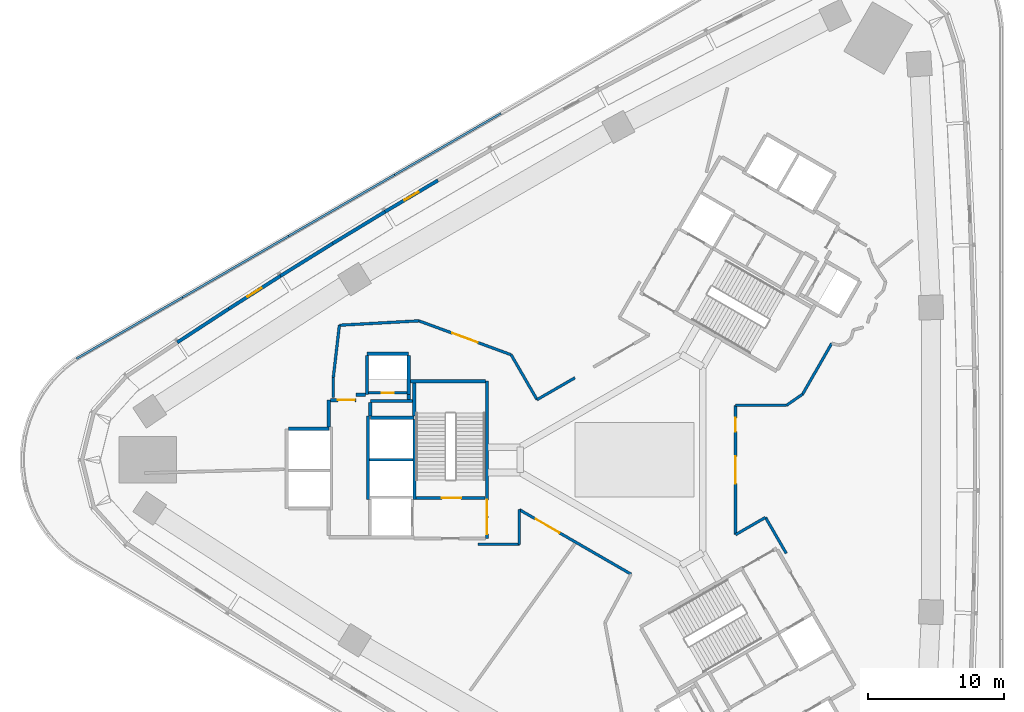
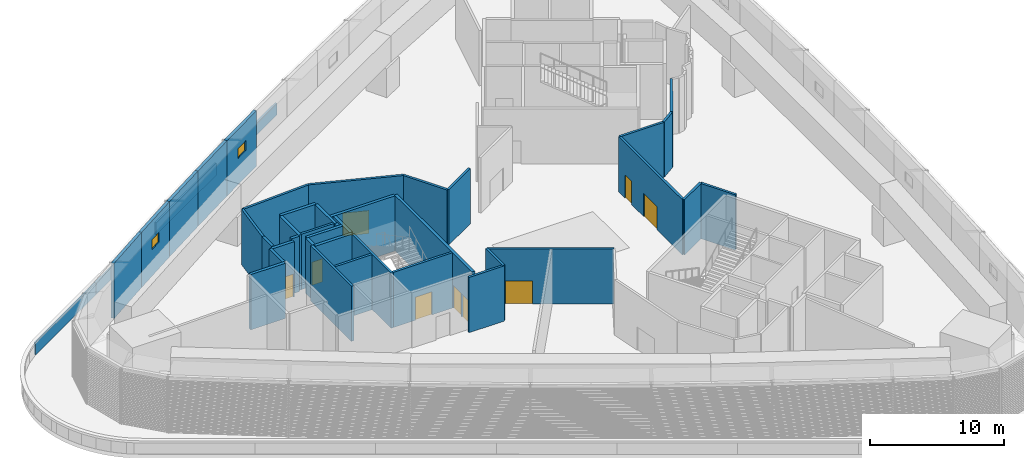
# One storey, part 4 of 11: 43 walls, 9 doors, 2 windows, 11 openings.
"""IFC4 building model written with IfcOpenShell, lengths in metres."""

import ifcopenshell
import ifcopenshell.guid

model = None  # the IFC model being written
_history = None  # IfcOwnerHistory: only IFC2X3 demands one
_inside = {}  # id of a spatial element -> (the spatial element, [elements in it])
_under = {}  # id of a project, library or spatial element -> (it, [spatial elements below it])
_declared = {}  # id of a project -> (the project, [libraries it declares])
_typed = {}  # id of a type object -> (the type object, [elements of that type])
_made_of = {}  # id of a material, layer set ... -> (it, [elements and type objects made of it])


def new_model(schema):
    """Start an empty IFC model of exactly this schema.

    Asked for "IFC4X3", IfcOpenShell would pick the latest addendum, in which some entities
    have other attributes; the version numbers below select the first issue.
    IFC2X3 requires an IfcOwnerHistory on every rooted entity: one is made here for all.
    """
    global model, _history
    if schema == "IFC4X3":
        model = ifcopenshell.file(schema_version=(4, 3, 0, 0))
    else:
        model = ifcopenshell.file(schema=schema)
    _inside.clear()
    _under.clear()
    _declared.clear()
    _typed.clear()
    _made_of.clear()
    _history = None
    if model.schema == "IFC2X3":
        org = make("IfcOrganization", Name="unknown")
        user = make(
            "IfcPersonAndOrganization",
            ThePerson=make("IfcPerson", FamilyName="unknown"),
            TheOrganization=org,
        )
        app = make(
            "IfcApplication",
            ApplicationDeveloper=org,
            Version="unknown",
            ApplicationFullName="unknown",
            ApplicationIdentifier="unknown",
        )
        _history = make(
            "IfcOwnerHistory",
            OwningUser=user,
            OwningApplication=app,
            ChangeAction="ADDED",
            CreationDate=0,
        )
    return model


def make(cls, **values):
    """One entity of the class cls with the attributes given. An attribute that is None is left unset."""
    return model.create_entity(
        cls, **{name: value for name, value in values.items() if value is not None}
    )


def rooted(cls, **values):
    """An entity with a GlobalId (a new one), such as an element, a storey or a relation."""
    return make(cls, GlobalId=ifcopenshell.guid.new(), OwnerHistory=_history, **values)


def si_unit(unit_type, name, prefix=None):
    """IfcSIUnit, for example si_unit("LENGTHUNIT", "METRE", prefix="MILLI")."""
    return make("IfcSIUnit", UnitType=unit_type, Prefix=prefix, Name=name)


def assignment(units):
    """IfcUnitAssignment: the units of a project."""
    return None if units is None else make("IfcUnitAssignment", Units=units)


def point(xyz):
    """IfcCartesianPoint."""
    return None if xyz is None else make("IfcCartesianPoint", Coordinates=xyz)


def direction(xyz):
    """IfcDirection."""
    return None if xyz is None else make("IfcDirection", DirectionRatios=xyz)


def frame(location, z_axis=None, x_axis=None):
    """IfcAxis2Placement3D, a coordinate frame: its origin and axes. An axis left out is left unset."""
    return make(
        "IfcAxis2Placement3D",
        Location=point(location),
        Axis=direction(z_axis),
        RefDirection=direction(x_axis),
    )


def frame_2d(location, x_axis=None):
    """IfcAxis2Placement2D, a coordinate frame in the plane: its origin and x axis."""
    return make(
        "IfcAxis2Placement2D", Location=point(location), RefDirection=direction(x_axis)
    )


def origin():
    """The frame at (0, 0, 0) with its axes left unset."""
    return frame((0.0, 0.0, 0.0))


def place(relative_to, where):
    """IfcLocalPlacement: puts the frame where relative to a parent placement (None: the world)."""
    return make(
        "IfcLocalPlacement", PlacementRelTo=relative_to, RelativePlacement=where
    )


def context(
    kind, dimensions, precision=None, world=None, true_north=None, identifier=None
):
    """IfcGeometricRepresentationContext, for example the 3D "Model" context."""
    return make(
        "IfcGeometricRepresentationContext",
        ContextIdentifier=identifier,
        ContextType=kind,
        CoordinateSpaceDimension=dimensions,
        Precision=precision,
        WorldCoordinateSystem=world,
        TrueNorth=true_north,
    )


def subcontext(parent, identifier, kind, view, scale=None):
    """IfcGeometricRepresentationSubContext, for example "Body" below "Model"."""
    return make(
        "IfcGeometricRepresentationSubContext",
        ContextIdentifier=identifier,
        ContextType=kind,
        ParentContext=parent,
        TargetScale=scale,
        TargetView=view,
    )


def project(units=None, contexts=None):
    """IfcProject with its units and contexts."""
    return rooted(
        "IfcProject",
        Name="project",
        RepresentationContexts=contexts,
        UnitsInContext=assignment(units),
    )


def spatial(cls, under=None, at=None, **own):
    """A site, building, storey or space (cls), placed at a placement, below another one or the project."""
    s = rooted(cls, ObjectPlacement=at, **own)
    if under is not None:
        _under.setdefault(under.id(), (under, []))[1].append(s)
    return s


def profile(cls, at=None, kind="AREA", **sizes):
    """A parametric profile (cls). Its sizes go by their IFC names, for example OverallWidth=200.0."""
    return make(cls, ProfileType=kind, Position=at, **sizes)


def rectangle(**sizes):
    """IfcRectangleProfileDef."""
    return profile("IfcRectangleProfileDef", **sizes)


def extrude(swept, where, along, depth):
    """IfcExtrudedAreaSolid: the profile swept, set in the frame where, extruded along a direction by depth."""
    return make(
        "IfcExtrudedAreaSolid",
        SweptArea=swept,
        Position=where,
        ExtrudedDirection=direction(along),
        Depth=depth,
    )


def shape(context_of_items, identifier, shape_type, items):
    """IfcShapeRepresentation: the items that make up one representation, for example the "Body"."""
    return make(
        "IfcShapeRepresentation",
        ContextOfItems=context_of_items,
        RepresentationIdentifier=identifier,
        RepresentationType=shape_type,
        Items=items,
    )


def material(Name=None, Category=None):
    """IfcMaterial."""
    return make("IfcMaterial", Name=Name, Category=Category)


def layer(
    of_material, thickness, ventilated=None, Name=None, Category=None, Priority=None
):
    """IfcMaterialLayer: one layer of a wall or slab, of a material (None: an air gap)."""
    return make(
        "IfcMaterialLayer",
        Material=of_material,
        LayerThickness=thickness,
        IsVentilated=ventilated,
        Name=Name,
        Category=Category,
        Priority=Priority,
    )


def layer_set(layers, Name=None):
    """IfcMaterialLayerSet."""
    return make("IfcMaterialLayerSet", MaterialLayers=layers, LayerSetName=Name)


def made_of(thing, what):
    """Note that an element or type object is made of a material, layer set ...; save() writes the relation."""
    if what is not None:
        _made_of.setdefault(what.id(), (what, []))[1].append(thing)
    return thing


def type_object(cls, material=None, **own):
    """A type object (cls), such as IfcWallType, which elements share."""
    return made_of(rooted(cls, **own), material)


def element(
    cls,
    number,
    at=None,
    inside=None,
    cuts=None,
    type_object=None,
    material=None,
    context=None,
    identifier="Body",
    shape_type=None,
    held_by="IfcProductDefinitionShape",
    body=None,
    shapes=None,
    **own,
):
    """One element of the class cls, such as IfcWall. Its Tag is "e" and its number.

    at: its placement. inside: the storey or other place that contains it. cuts: it is an
    opening in that element (IfcRelVoidsElement). A single representation is given by context,
    identifier, shape_type and body (its items); several are given by shapes. held_by: the class
    of the entity that holds the representations. save() writes the other relations.
    """
    e = rooted(cls, Tag="e%d" % number, ObjectPlacement=at, **own)
    if body is not None:
        shapes = [shape(context, identifier, shape_type, body)]
    if shapes is not None:
        e.Representation = make(held_by, Representations=shapes)
    if inside is not None:
        _inside.setdefault(inside.id(), (inside, []))[1].append(e)
    if cuts is not None:
        rooted(
            "IfcRelVoidsElement", RelatingBuildingElement=cuts, RelatedOpeningElement=e
        )
    if type_object is not None:
        _typed.setdefault(type_object.id(), (type_object, []))[1].append(e)
    return made_of(e, material)


def fill(opening, filler):
    """IfcRelFillsElement: the door or window that sits in an opening."""
    return rooted(
        "IfcRelFillsElement",
        RelatingOpeningElement=opening,
        RelatedBuildingElement=filler,
    )


def aggregate(whole, parts):
    """IfcRelAggregates: a whole, such as a stair, and the parts it consists of."""
    return rooted("IfcRelAggregates", RelatingObject=whole, RelatedObjects=parts)


def save(model, path):
    """Write the relations noted so far, then the file.

    IfcRelAggregates (storeys below a building ...), IfcRelContainedInSpatialStructure (elements
    in a storey), IfcRelDefinesByType, IfcRelAssociatesMaterial and IfcRelDeclares: one each for
    every whole, place, type object, material and project.
    """
    for whole, parts in _under.values():
        aggregate(whole, parts)
    for where, things in _inside.values():
        rooted(
            "IfcRelContainedInSpatialStructure",
            RelatedElements=things,
            RelatingStructure=where,
        )
    for kind, things in _typed.values():
        rooted("IfcRelDefinesByType", RelatedObjects=things, RelatingType=kind)
    for what, things in _made_of.values():
        rooted("IfcRelAssociatesMaterial", RelatedObjects=things, RelatingMaterial=what)
    for by, libraries in _declared.values():
        rooted("IfcRelDeclares", RelatingContext=by, RelatedDefinitions=libraries)
    model.write(path)


model = new_model("IFC4")

# Units and contexts
model_context = context("Model", 3, precision=1e-05, world=origin(), true_north=direction((0.0, 1.0)))
body_context = subcontext(model_context, "Body", "Model", "MODEL_VIEW")
ifc_project = project(units=[si_unit("LENGTHUNIT", "METRE"), si_unit("AREAUNIT", "SQUARE_METRE"), si_unit("VOLUMEUNIT", "CUBIC_METRE"), si_unit("PLANEANGLEUNIT", "RADIAN"), si_unit("MASSUNIT", "GRAM", prefix="KILO")], contexts=[model_context])

# Site, building, storey
site_placement = place(None, origin())
site = spatial("IfcSite", under=ifc_project, at=site_placement, CompositionType="ELEMENT")
building_placement = place(site_placement, origin())
building = spatial("IfcBuilding", under=site, at=building_placement, Name="Tamra Quay Hotel Tower", CompositionType="ELEMENT")
storey_placement = place(building_placement, frame((0.0, 0.0, 29.5)))
storey = spatial("IfcBuildingStorey", under=building, at=storey_placement, Name="L05", CompositionType="ELEMENT", Elevation=29.5)

# Walls
ifc_material_1 = material(Name="Concrete M70", Category="concrete")
ifc_layer_1 = layer(ifc_material_1, 0.199951171875)
ifc_layer_set_1 = layer_set([ifc_layer_1], Name="Concrete M70 core wall 200")
wall_type_1 = type_object("IfcWallType", Name="Concrete M70 core wall 200", PredefinedType="SHEAR", material=ifc_layer_set_1)
wall_1_placement = place(storey_placement, frame((-16.162109375, 2.95068359375, 0.0), z_axis=(0.0, 0.0, 1.0), x_axis=(0.0, -1.0, 0.0)))
element("IfcWall", 1, at=wall_1_placement, inside=storey, type_object=wall_type_1, Name="CW2", PredefinedType="SHEAR", context=body_context, shape_type="SweptSolid", body=[
    extrude(rectangle(XDim=5.850830078125, YDim=0.199951171875, at=frame_2d((2.92529296875, 0.0))), origin(), (0.0, 0.0, 1.0), 5.02490234375),
])
wall_2_placement = place(storey_placement, frame((-19.5625, -2.900146484375, 0.0), z_axis=(0.0, 0.0, 1.0), x_axis=(0.0, 1.0, 0.0)))
element("IfcWall", 2, at=wall_2_placement, inside=storey, type_object=wall_type_1, Name="CW2", PredefinedType="SHEAR", context=body_context, shape_type="SweptSolid", body=[
    extrude(rectangle(XDim=6.100341796875, YDim=0.199951171875, at=frame_2d((3.05029296875, 0.0))), origin(), (0.0, 0.0, 1.0), 5.02490234375),
])

# Wall, opening, door
wall_3_placement = place(storey_placement, frame((-10.96337890625, -2.800048828125, 0.0), z_axis=(0.0, 0.0, 1.0), x_axis=(-1.0, 0.0, 0.0)))
wall_3 = element("IfcWall", 3, at=wall_3_placement, inside=storey, type_object=wall_type_1, Name="CW2", PredefinedType="SHEAR", context=body_context, shape_type="SweptSolid", body=[
    extrude(rectangle(XDim=5.097900390625, YDim=0.199951171875, at=frame_2d((2.548828125, 0.0))), origin(), (0.0, 0.0, 1.0), 5.02490234375),
])
opening_1_placement = place(wall_3_placement, frame((1.77392578125, 0.0, 0.0)))
opening_1 = element("IfcOpeningElement", 4, at=opening_1_placement, cuts=wall_3, Name="Opening FD2", PredefinedType="OPENING", context=body_context, shape_type="SweptSolid", body=[
    extrude(rectangle(XDim=1.39990234375, YDim=2.10009765625, at=frame_2d((0.699951171875, 1.050048828125))), frame((0.0, 0.10986328125, 0.0), z_axis=(0.0, -1.0, 0.0), x_axis=(1.0, 0.0, 0.0)), (0.0, 0.0, 1.0), 0.219970703125),
])
ifc_material_2 = material(Name="Core door FD2 1400x2100 RH")
door_type_1 = type_object("IfcDoorType", Name="Core door FD2 1400x2100 RH", OperationType="NOTDEFINED", PredefinedType="DOOR", material=ifc_material_2)
door_1_placement = place(opening_1_placement, origin())
door_1 = element("IfcDoor", 5, at=door_1_placement, inside=storey, type_object=door_type_1, Name="FD2", OperationType="SINGLE_SWING_RIGHT", OverallHeight=2.10009765625, OverallWidth=1.39990234375, PredefinedType="DOOR", context=body_context, shape_type="SweptSolid", body=[
    extrude(rectangle(XDim=1.39990234375, YDim=2.10009765625, at=frame_2d((0.699951171875, 1.050048828125))), frame((0.0, 0.02490234375, 0.0), z_axis=(0.0, -1.0, 0.0), x_axis=(1.0, 0.0, 0.0)), (0.0, 0.0, 1.0), 0.050048828125),
])
fill(opening_1, door_1)

# Wall
wall_4_placement = place(storey_placement, frame((-16.26318359375, 0.0, 0.0), z_axis=(0.0, 0.0, 1.0), x_axis=(-1.0, 0.0, 0.0)))
element("IfcWall", 6, at=wall_4_placement, inside=storey, type_object=wall_type_1, Name="CW2", PredefinedType="SHEAR", context=body_context, shape_type="SweptSolid", body=[
    extrude(rectangle(XDim=3.1982421875, YDim=0.199951171875, at=frame_2d((1.59912109375, 0.0))), origin(), (0.0, 0.0, 1.0), 5.02490234375),
])

# Wall, opening, door
wall_5_placement = place(storey_placement, frame((-19.51123046875, 4.91015625, 0.0), z_axis=(0.0, 0.0, 1.0), x_axis=(1.0, 0.0, 0.0)))
wall_5 = element("IfcWall", 7, at=wall_5_placement, inside=storey, type_object=wall_type_1, Name="CW2", PredefinedType="SHEAR", context=body_context, shape_type="SweptSolid", body=[
    extrude(rectangle(XDim=2.7978515625, YDim=0.199951171875, at=frame_2d((1.39892578125, 0.0))), origin(), (0.0, 0.0, 1.0), 5.02490234375),
])
opening_2_placement = place(wall_5_placement, frame((0.948974609375, 0.0, 0.0)))
opening_2 = element("IfcOpeningElement", 8, at=opening_2_placement, cuts=wall_5, Name="Opening D1", PredefinedType="OPENING", context=body_context, shape_type="SweptSolid", body=[
    extrude(rectangle(XDim=0.89990234375, YDim=2.10009765625, at=frame_2d((0.449951171875, 1.050048828125))), frame((0.0, 0.10986328125, 0.0), z_axis=(0.0, -1.0, 0.0), x_axis=(1.0, 0.0, 0.0)), (0.0, 0.0, 1.0), 0.219970703125),
])
ifc_material_3 = material(Name="Core door D1 900x2100 LH")
door_type_2 = type_object("IfcDoorType", Name="Core door D1 900x2100 LH", OperationType="NOTDEFINED", PredefinedType="DOOR", material=ifc_material_3)
door_2_placement = place(opening_2_placement, origin())
door_2 = element("IfcDoor", 9, at=door_2_placement, inside=storey, type_object=door_type_2, Name="D1", OperationType="SINGLE_SWING_LEFT", OverallHeight=2.10009765625, OverallWidth=0.89990234375, PredefinedType="DOOR", context=body_context, shape_type="SweptSolid", body=[
    extrude(rectangle(XDim=0.89990234375, YDim=2.10009765625, at=frame_2d((0.449951171875, 1.050048828125))), frame((0.0, 0.02490234375, 0.0), z_axis=(0.0, -1.0, 0.0), x_axis=(1.0, 0.0, 0.0)), (0.0, 0.0, 1.0), 0.050048828125),
])
fill(opening_2, door_2)

# Wall, openings, doors
ifc_layer_2 = layer(ifc_material_1, 0.25)
ifc_layer_set_2 = layer_set([ifc_layer_2], Name="Concrete M70 core wall 250")
wall_type_2 = type_object("IfcWallType", Name="Concrete M70 core wall 250", PredefinedType="SHEAR", material=ifc_layer_set_2)
wall_6_placement = place(storey_placement, frame((-10.83740234375, 5.77490234375, 0.0), z_axis=(0.0, 0.0, 1.0), x_axis=(0.0, -1.0, 0.0)))
wall_6 = element("IfcWall", 10, at=wall_6_placement, inside=storey, type_object=wall_type_2, Name="CW1", PredefinedType="SHEAR", context=body_context, shape_type="SweptSolid", body=[
    extrude(rectangle(XDim=11.5498046875, YDim=0.25, at=frame_2d((5.77490234375, 0.0))), origin(), (0.0, 0.0, 1.0), 5.02490234375),
])
opening_3_placement = place(wall_6_placement, frame((10.02490234375, 0.0, 0.0)))
opening_3 = element("IfcOpeningElement", 11, at=opening_3_placement, cuts=wall_6, Name="Opening FD1", PredefinedType="OPENING", context=body_context, shape_type="SweptSolid", body=[
    extrude(rectangle(XDim=1.199951171875, YDim=2.10009765625, at=frame_2d((0.60009765625, 1.050048828125))), frame((0.0, 0.135009765625, 0.0), z_axis=(0.0, -1.0, 0.0), x_axis=(1.0, 0.0, 0.0)), (0.0, 0.0, 1.0), 0.27001953125),
])
opening_4_placement = place(wall_6_placement, frame((8.72509765625, 0.0, 0.0)))
opening_4 = element("IfcOpeningElement", 12, at=opening_4_placement, cuts=wall_6, Name="Opening FD1", PredefinedType="OPENING", context=body_context, shape_type="SweptSolid", body=[
    extrude(rectangle(XDim=1.199951171875, YDim=2.10009765625, at=frame_2d((0.60009765625, 1.050048828125))), frame((0.0, 0.135009765625, 0.0), z_axis=(0.0, -1.0, 0.0), x_axis=(1.0, 0.0, 0.0)), (0.0, 0.0, 1.0), 0.27001953125),
])
ifc_material_4 = material(Name="Core door FD1 1200x2100 LH")
door_type_3 = type_object("IfcDoorType", Name="Core door FD1 1200x2100 LH", OperationType="NOTDEFINED", PredefinedType="DOOR", material=ifc_material_4)
door_3_placement = place(opening_3_placement, origin())
door_3 = element("IfcDoor", 13, at=door_3_placement, inside=storey, type_object=door_type_3, Name="FD1", OperationType="SINGLE_SWING_LEFT", OverallHeight=2.10009765625, OverallWidth=1.199951171875, PredefinedType="DOOR", context=body_context, shape_type="SweptSolid", body=[
    extrude(rectangle(XDim=1.199951171875, YDim=2.10009765625, at=frame_2d((0.60009765625, 1.050048828125))), frame((0.0, 0.02490234375, 0.0), z_axis=(0.0, -1.0, 0.0), x_axis=(1.0, 0.0, 0.0)), (0.0, 0.0, 1.0), 0.050048828125),
])
fill(opening_3, door_3)
ifc_material_5 = material(Name="Core door FD1 1200x2100 RH")
door_type_4 = type_object("IfcDoorType", Name="Core door FD1 1200x2100 RH", OperationType="NOTDEFINED", PredefinedType="DOOR", material=ifc_material_5)
door_4_placement = place(opening_4_placement, origin())
door_4 = element("IfcDoor", 14, at=door_4_placement, inside=storey, type_object=door_type_4, Name="FD1", OperationType="SINGLE_SWING_RIGHT", OverallHeight=2.10009765625, OverallWidth=1.199951171875, PredefinedType="DOOR", context=body_context, shape_type="SweptSolid", body=[
    extrude(rectangle(XDim=1.199951171875, YDim=2.10009765625, at=frame_2d((0.60009765625, 1.050048828125))), frame((0.0, 0.02490234375, 0.0), z_axis=(0.0, -1.0, 0.0), x_axis=(1.0, 0.0, 0.0)), (0.0, 0.0, 1.0), 0.050048828125),
])
fill(opening_4, door_4)

# Walls
wall_7_placement = place(storey_placement, frame((-16.47216796875, 5.77490234375, 0.0), z_axis=(0.0, 0.0, 1.0), x_axis=(1.0, 0.0, 0.0)))
element("IfcWall", 15, at=wall_7_placement, inside=storey, type_object=wall_type_2, Name="CW1", PredefinedType="SHEAR", context=body_context, shape_type="SweptSolid", body=[
    extrude(rectangle(XDim=5.509521484375, YDim=0.25, at=frame_2d((2.7548828125, 0.0))), origin(), (0.0, 0.0, 1.0), 5.02490234375),
])
wall_8_placement = place(storey_placement, frame((-19.38720703125, 3.074951171875, 0.0), z_axis=(0.0, 0.0, 1.0), x_axis=(1.0, 0.0, 0.0)))
element("IfcWall", 16, at=wall_8_placement, inside=storey, type_object=wall_type_2, Name="CW1", PredefinedType="SHEAR", context=body_context, shape_type="SweptSolid", body=[
    extrude(rectangle(XDim=3.199951171875, YDim=0.25, at=frame_2d((1.60009765625, 0.0))), origin(), (0.0, 0.0, 1.0), 5.02490234375),
])
wall_9_placement = place(storey_placement, frame((-25.411865234375, 2.27490234375, 0.0), z_axis=(0.0, 0.0, 1.0), x_axis=(1.0, 0.0, 0.0)))
element("IfcWall", 17, at=wall_9_placement, inside=storey, type_object=wall_type_2, Name="CW1", PredefinedType="SHEAR", context=body_context, shape_type="SweptSolid", body=[
    extrude(rectangle(XDim=2.974609375, YDim=0.25, at=frame_2d((1.4873046875, 0.0))), origin(), (0.0, 0.0, 1.0), 5.02490234375),
])
wall_10_placement = place(storey_placement, frame((-19.63720703125, 7.77490234375, 0.0), z_axis=(0.0, 0.0, 1.0), x_axis=(1.0, 0.0, 0.0)))
element("IfcWall", 18, at=wall_10_placement, inside=storey, type_object=wall_type_2, Name="CW1", PredefinedType="SHEAR", context=body_context, shape_type="SweptSolid", body=[
    extrude(rectangle(XDim=3.0498046875, YDim=0.25, at=frame_2d((1.52490234375, 0.0))), origin(), (0.0, 0.0, 1.0), 5.02490234375),
])
for number, where, z_axis, x_axis, name in (
    (19, (-16.58740234375, 7.649658203125, 0.0), (0.0, 0.0, 1.0), (0.0, -1.0, 0.0), "CW1"),
    (20, (-19.63720703125, 4.784912109375, 0.0), (0.0, 0.0, 1.0), (0.0, 1.0, 0.0), "CW1"),
):
    element("IfcWall", number, at=place(storey_placement, frame(where, z_axis=z_axis, x_axis=x_axis)), inside=storey, type_object=wall_type_2, Name=name, PredefinedType="SHEAR", context=body_context, shape_type="SweptSolid", body=[
        extrude(rectangle(XDim=2.86474609375, YDim=0.25, at=frame_2d((1.432373046875, 0.0))), origin(), (0.0, 0.0, 1.0), 5.02490234375),
    ])
wall_11_placement = place(storey_placement, frame((-16.30224609375, 4.31494140625, 0.0), z_axis=(0.0, 0.0, 1.0), x_axis=(-1.0, 0.0, 0.0)))
element("IfcWall", 21, at=wall_11_placement, inside=storey, type_object=wall_type_2, Name="CW1", PredefinedType="SHEAR", context=body_context, shape_type="SweptSolid", body=[
    extrude(rectangle(XDim=3.0849609375, YDim=0.25, at=frame_2d((1.54248046875, 0.0))), origin(), (0.0, 0.0, 1.0), 5.02490234375),
])
wall_12_placement = place(storey_placement, frame((-16.187255859375, 3.200439453125, 0.0), z_axis=(0.0, 0.0, 1.0), x_axis=(0.0, 1.0, 0.0)))
element("IfcWall", 22, at=wall_12_placement, inside=storey, type_object=wall_type_2, Name="CW1", PredefinedType="SHEAR", context=body_context, shape_type="SweptSolid", body=[
    extrude(rectangle(XDim=2.44921875, YDim=0.25, at=frame_2d((1.224609375, 0.0))), origin(), (0.0, 0.0, 1.0), 5.02490234375),
])
wall_13_placement = place(storey_placement, frame((-22.437255859375, 2.400390625, 0.0), z_axis=(0.0, 0.0, 1.0), x_axis=(0.0, 1.0, 0.0)))
element("IfcWall", 23, at=wall_13_placement, inside=storey, type_object=wall_type_2, Name="CW1", PredefinedType="SHEAR", context=body_context, shape_type="SweptSolid", body=[
    extrude(rectangle(XDim=1.974609375, YDim=0.25, at=frame_2d((0.9873046875, 0.0))), origin(), (0.0, 0.0, 1.0), 5.02490234375),
])

# Wall, opening, door
wall_14_placement = place(storey_placement, frame((-22.311767578125, 4.375, 0.0), z_axis=(0.0, 0.0, 1.0), x_axis=(1.0, 0.0, 0.0)))
wall_14 = element("IfcWall", 24, at=wall_14_placement, inside=storey, type_object=wall_type_2, Name="CW1", PredefinedType="SHEAR", context=body_context, shape_type="SweptSolid", body=[
    extrude(rectangle(XDim=1.864501953125, YDim=0.25, at=frame_2d((0.93212890625, 0.0))), origin(), (0.0, 0.0, 1.0), 5.02490234375),
])
opening_5_placement = place(wall_14_placement, frame((0.53466796875, 0.0, 0.0)))
opening_5 = element("IfcOpeningElement", 25, at=opening_5_placement, cuts=wall_14, Name="Opening FD3", PredefinedType="OPENING", context=body_context, shape_type="SweptSolid", body=[
    extrude(rectangle(XDim=1.25, YDim=2.10009765625, at=frame_2d((0.625, 1.050048828125))), frame((0.0, 0.135009765625, 0.0), z_axis=(0.0, -1.0, 0.0), x_axis=(1.0, 0.0, 0.0)), (0.0, 0.0, 1.0), 0.27001953125),
])
ifc_material_6 = material(Name="Core door FD3 1250x2100 LH")
door_type_5 = type_object("IfcDoorType", Name="Core door FD3 1250x2100 LH", OperationType="NOTDEFINED", PredefinedType="DOOR", material=ifc_material_6)
door_5_placement = place(opening_5_placement, origin())
door_5 = element("IfcDoor", 26, at=door_5_placement, inside=storey, type_object=door_type_5, Name="FD3", OperationType="SINGLE_SWING_LEFT", OverallHeight=2.10009765625, OverallWidth=1.25, PredefinedType="DOOR", context=body_context, shape_type="SweptSolid", body=[
    extrude(rectangle(XDim=1.25, YDim=2.10009765625, at=frame_2d((0.625, 1.050048828125))), frame((0.0, 0.02490234375, 0.0), z_axis=(0.0, -1.0, 0.0), x_axis=(1.0, 0.0, 0.0)), (0.0, 0.0, 1.0), 0.050048828125),
])
fill(opening_5, door_5)

# Walls
wall_15_placement = place(storey_placement, frame((-19.38720703125, 4.189697265625, 0.0), z_axis=(0.0, 0.0, 1.0), x_axis=(0.0, -1.0, 0.0)))
element("IfcWall", 27, at=wall_15_placement, inside=storey, type_object=wall_type_2, Name="CW1", PredefinedType="SHEAR", context=body_context, shape_type="SweptSolid", body=[
    extrude(rectangle(XDim=0.9892578125, YDim=0.25, at=frame_2d((0.49462890625, 0.0))), origin(), (0.0, 0.0, 1.0), 5.02490234375),
])
wall_16_placement = place(storey_placement, frame((-20.447265625, 4.784912109375, 0.0), z_axis=(0.0, 0.0, 1.0), x_axis=(1.0, 0.0, 0.0)))
element("IfcWall", 28, at=wall_16_placement, inside=storey, type_object=wall_type_2, Name="CW1", PredefinedType="SHEAR", context=body_context, shape_type="SweptSolid", body=[
    extrude(rectangle(XDim=0.6845703125, YDim=0.25, at=frame_2d((0.34228515625, 0.0))), origin(), (0.0, 0.0, 1.0), 5.02490234375),
])
wall_17_placement = place(storey_placement, frame((-16.577392578125, 4.784912109375, 0.0), z_axis=(0.0, 0.0, 1.0), x_axis=(0.0, -1.0, 0.0)))
element("IfcWall", 29, at=wall_17_placement, inside=storey, type_object=wall_type_2, Name="CW1", PredefinedType="SHEAR", context=body_context, shape_type="SweptSolid", body=[
    extrude(rectangle(XDim=0.344482421875, YDim=0.25, at=frame_2d((0.17236328125, 0.0))), origin(), (0.0, 0.0, 1.0), 5.02490234375),
])

# Wall, opening, window
ifc_material_7 = material(Name="Blockwork masonry plastered", Category="masonry")
ifc_layer_3 = layer(ifc_material_7, 0.25)
ifc_layer_set_3 = layer_set([ifc_layer_3], Name="EXTERNAL WALL 250")
wall_type_3 = type_object("IfcWallType", Name="EXTERNAL WALL 250", PredefinedType="SOLIDWALL", material=ifc_layer_set_3)
wall_18_placement = place(storey_placement, frame((-18.31005859375, 18.204345703125, 0.0), z_axis=(0.0, 0.0, 1.0), x_axis=(0.860566985806, 0.509337278177, 0.0)))
wall_18 = element("IfcWall", 30, at=wall_18_placement, inside=storey, type_object=wall_type_3, Name="EW1", PredefinedType="SOLIDWALL", context=body_context, shape_type="SweptSolid", body=[
    extrude(rectangle(XDim=4.504150390625, YDim=0.25, at=frame_2d((2.251953125, 0.0))), origin(), (0.0, 0.0, 1.0), 5.02490234375),
])
opening_6_placement = place(wall_18_placement, frame((1.652099609375, 0.0, 2.39990234375)))
opening_6 = element("IfcOpeningElement", 31, at=opening_6_placement, cuts=wall_18, Name="Opening PW1", PredefinedType="OPENING", context=body_context, shape_type="SweptSolid", body=[
    extrude(rectangle(XDim=1.199951171875, YDim=0.89990234375, at=frame_2d((0.60009765625, 0.449951171875))), frame((0.0, 0.135009765625, 0.0), z_axis=(0.0, -1.0, 0.0), x_axis=(1.0, 0.0, 0.0)), (0.0, 0.0, 1.0), 0.27001953125),
])
ifc_material_8 = material(Name="Aluminium window with clear glass", Category="aluminium")
window_type = type_object("IfcWindowType", Name="PLANT WINDOW 1200X900", PartitioningType="SINGLE_PANEL", PredefinedType="WINDOW", material=ifc_material_8)
window_1_placement = place(opening_6_placement, origin())
window_1 = element("IfcWindow", 32, at=window_1_placement, inside=storey, type_object=window_type, Name="PW1", OverallHeight=0.89990234375, OverallWidth=1.199951171875, PartitioningType="SINGLE_PANEL", PredefinedType="WINDOW", context=body_context, shape_type="SweptSolid", body=[
    extrude(rectangle(XDim=1.199951171875, YDim=0.89990234375, at=frame_2d((0.60009765625, 0.449951171875))), frame((0.0, 0.030029296875, 0.0), z_axis=(0.0, -1.0, 0.0), x_axis=(1.0, 0.0, 0.0)), (0.0, 0.0, 1.0), 0.06005859375),
])
fill(opening_6, window_1)

# Walls
wall_19_placement = place(storey_placement, frame((-22.162109375, 15.86767578125, 0.0), z_axis=(0.0, 0.0, 1.0), x_axis=(0.85497800152, 0.518664262232, 0.0)))
element("IfcWall", 33, at=wall_19_placement, inside=storey, type_object=wall_type_3, Name="EW1", PredefinedType="SOLIDWALL", context=body_context, shape_type="SweptSolid", body=[
    extrude(rectangle(XDim=4.506591796875, YDim=0.25, at=frame_2d((2.25341796875, 0.0))), origin(), (0.0, 0.0, 1.0), 5.02490234375),
])
wall_20_placement = place(storey_placement, frame((-25.986572265625, 13.490966796875, 0.0), z_axis=(0.0, 0.0, 1.0), x_axis=(0.849353628216, 0.527824226648, 0.0)))
element("IfcWall", 34, at=wall_20_placement, inside=storey, type_object=wall_type_3, Name="EW1", PredefinedType="SOLIDWALL", context=body_context, shape_type="SweptSolid", body=[
    extrude(rectangle(XDim=4.504150390625, YDim=0.25, at=frame_2d((2.251953125, 0.0))), origin(), (0.0, 0.0, 1.0), 5.02490234375),
])

# Wall, opening, window
wall_21_placement = place(storey_placement, frame((-29.78515625, 11.07275390625, 0.0), z_axis=(0.0, 0.0, 1.0), x_axis=(0.84359675828, 0.536977196368, 0.0)))
wall_21 = element("IfcWall", 35, at=wall_21_placement, inside=storey, type_object=wall_type_3, Name="EW1", PredefinedType="SOLIDWALL", context=body_context, shape_type="SweptSolid", body=[
    extrude(rectangle(XDim=4.50439453125, YDim=0.25, at=frame_2d((2.252197265625, 0.0))), origin(), (0.0, 0.0, 1.0), 5.02490234375),
])
opening_7_placement = place(wall_21_placement, frame((1.652099609375, 0.0, 2.39990234375)))
opening_7 = element("IfcOpeningElement", 36, at=opening_7_placement, cuts=wall_21, Name="Opening PW1", PredefinedType="OPENING", context=body_context, shape_type="SweptSolid", body=[
    extrude(rectangle(XDim=1.199951171875, YDim=0.89990234375, at=frame_2d((0.60009765625, 0.449951171875))), frame((0.0, 0.135009765625, 0.0), z_axis=(0.0, -1.0, 0.0), x_axis=(1.0, 0.0, 0.0)), (0.0, 0.0, 1.0), 0.27001953125),
])
window_2_placement = place(opening_7_placement, origin())
window_2 = element("IfcWindow", 37, at=window_2_placement, inside=storey, type_object=window_type, Name="PW1", OverallHeight=0.89990234375, OverallWidth=1.199951171875, PartitioningType="SINGLE_PANEL", PredefinedType="WINDOW", context=body_context, shape_type="SweptSolid", body=[
    extrude(rectangle(XDim=1.199951171875, YDim=0.89990234375, at=frame_2d((0.60009765625, 0.449951171875))), frame((0.0, 0.030029296875, 0.0), z_axis=(0.0, -1.0, 0.0), x_axis=(1.0, 0.0, 0.0)), (0.0, 0.0, 1.0), 0.06005859375),
])
fill(opening_7, window_2)

# Walls
wall_22_placement = place(storey_placement, frame((-33.55908203125, 8.612548828125, 0.0), z_axis=(0.0, 0.0, 1.0), x_axis=(0.837723744948, 0.546094247499, 0.0)))
element("IfcWall", 38, at=wall_22_placement, inside=storey, type_object=wall_type_3, Name="EW1", PredefinedType="SOLIDWALL", context=body_context, shape_type="SweptSolid", body=[
    extrude(rectangle(XDim=4.50634765625, YDim=0.25, at=frame_2d((2.253173828125, 0.0))), origin(), (0.0, 0.0, 1.0), 5.02490234375),
])
ifc_material_9 = material(Name="Reinforced concrete M60 with render", Category="concrete")
ifc_layer_4 = layer(ifc_material_9, 0.14990234375)
ifc_layer_set_4 = layer_set([ifc_layer_4], Name="PARAPET WALL 150")
wall_type_4 = type_object("IfcWallType", Name="PARAPET WALL 150", PredefinedType="PARAPET", material=ifc_layer_set_4)
wall_23_placement = place(storey_placement, frame((-17.60546875, 20.9130859375, 0.0), z_axis=(0.0, 0.0, 1.0), x_axis=(0.865875788734, 0.500259051376, 0.0)))
element("IfcWall", 39, at=wall_23_placement, inside=storey, type_object=wall_type_4, Name="PW0", PredefinedType="PARAPET", context=body_context, shape_type="SweptSolid", body=[
    extrude(rectangle(XDim=8.991943359375, YDim=0.14990234375, at=frame_2d((4.49609375, 0.0))), origin(), (0.0, 0.0, 1.0), 1.10009765625),
])
for number, where, z_axis, x_axis, name in (
    (40, (-25.39111328125, 16.414794921875, 0.0), (0.0, 0.0, 1.0), (0.865868993684, 0.500270812437, 0.0), "PW0"),
    (41, (-33.1767578125, 11.91650390625, 0.0), (0.0, 0.0, 1.0), (0.865868993684, 0.500270812437, 0.0), "PW0"),
):
    element("IfcWall", number, at=place(storey_placement, frame(where, z_axis=z_axis, x_axis=x_axis)), inside=storey, type_object=wall_type_4, Name=name, PredefinedType="PARAPET", context=body_context, shape_type="SweptSolid", body=[
        extrude(rectangle(XDim=8.99169921875, YDim=0.14990234375, at=frame_2d((4.495849609375, 0.0))), origin(), (0.0, 0.0, 1.0), 1.10009765625),
    ])
wall_24_placement = place(storey_placement, frame((-40.962646484375, 7.418212890625, 0.0), z_axis=(0.0, 0.0, 1.0), x_axis=(0.865875788734, 0.500259051376, 0.0)))
element("IfcWall", 42, at=wall_24_placement, inside=storey, type_object=wall_type_4, Name="PW0", PredefinedType="PARAPET", context=body_context, shape_type="SweptSolid", body=[
    extrude(rectangle(XDim=8.991943359375, YDim=0.14990234375, at=frame_2d((4.49609375, 0.0))), origin(), (0.0, 0.0, 1.0), 1.10009765625),
])
ifc_material_10 = material(Name="Partition corridor wall")
ifc_layer_5 = layer(ifc_material_10, 0.199951171875)
ifc_layer_set_5 = layer_set([ifc_layer_5], Name="Partition corridor wall")
wall_type_5 = type_object("IfcWallType", Name="Partition corridor wall", PredefinedType="PARTITIONING", material=ifc_layer_set_5)
wall_25_placement = place(storey_placement, frame((-22.112060546875, 4.56005859375, 0.0), z_axis=(0.0, 0.0, 1.0), x_axis=(0.0, 1.0, 0.0)))
element("IfcWall", 43, at=wall_25_placement, inside=storey, type_object=wall_type_5, Name="W-C", PredefinedType="PARTITIONING", context=body_context, shape_type="SweptSolid", body=[
    extrude(rectangle(XDim=1.458984375, YDim=0.199951171875, at=frame_2d((0.7294921875, 0.0))), origin(), (0.0, 0.0, 1.0), 5.02490234375),
])
wall_26_placement = place(storey_placement, frame((-22.112060546875, 6.01904296875, 0.0), z_axis=(0.0, 0.0, 1.0), x_axis=(0.115302898674, 0.993330378856, 0.0)))
element("IfcWall", 44, at=wall_26_placement, inside=storey, type_object=wall_type_5, Name="W-C", PredefinedType="PARTITIONING", context=body_context, shape_type="SweptSolid", body=[
    extrude(rectangle(XDim=3.876953125, YDim=0.199951171875, at=frame_2d((1.9384765625, 0.0))), origin(), (0.0, 0.0, 1.0), 5.02490234375),
])
wall_27_placement = place(storey_placement, frame((-21.6650390625, 9.8701171875, 0.0), z_axis=(0.0, 0.0, 1.0), x_axis=(0.998469855585, 0.055298711443, 0.0)))
element("IfcWall", 45, at=wall_27_placement, inside=storey, type_object=wall_type_5, Name="W-C", PredefinedType="PARTITIONING", context=body_context, shape_type="SweptSolid", body=[
    extrude(rectangle(XDim=5.841064453125, YDim=0.199951171875, at=frame_2d((2.92041015625, 0.0))), origin(), (0.0, 0.0, 1.0), 5.02490234375),
])

# Wall, opening, door
wall_28_placement = place(storey_placement, frame((-15.8330078125, 10.193115234375, 0.0), z_axis=(0.0, 0.0, 1.0), x_axis=(0.938576941318, -0.345070029453, 0.0)))
wall_28 = element("IfcWall", 46, at=wall_28_placement, inside=storey, type_object=wall_type_5, Name="W-C", PredefinedType="PARTITIONING", context=body_context, shape_type="SweptSolid", body=[
    extrude(rectangle(XDim=7.213134765625, YDim=0.199951171875, at=frame_2d((3.6064453125, 0.0))), origin(), (0.0, 0.0, 1.0), 5.02490234375),
])
opening_8_placement = place(wall_28_placement, frame((2.606201171875, 0.0, 0.0)))
opening_8 = element("IfcOpeningElement", 47, at=opening_8_placement, cuts=wall_28, Name="Opening L05-D001", PredefinedType="OPENING", context=body_context, shape_type="SweptSolid", body=[
    extrude(rectangle(XDim=2.0, YDim=2.10009765625, at=frame_2d((1.0, 1.050048828125))), frame((0.0, 0.10986328125, 0.0), z_axis=(0.0, -1.0, 0.0), x_axis=(1.0, 0.0, 0.0)), (0.0, 0.0, 1.0), 0.219970703125),
])
ifc_material_11 = material(Name="Door double leaf 2000x2100")
door_type_6 = type_object("IfcDoorType", Name="Door double leaf 2000x2100", OperationType="DOUBLE_DOOR_SINGLE_SWING", PredefinedType="DOOR", material=ifc_material_11)
door_6_placement = place(opening_8_placement, origin())
door_6 = element("IfcDoor", 48, at=door_6_placement, inside=storey, type_object=door_type_6, Name="L05-D001", OperationType="DOUBLE_DOOR_SINGLE_SWING", OverallHeight=2.10009765625, OverallWidth=2.0, PredefinedType="DOOR", context=body_context, shape_type="SweptSolid", body=[
    extrude(rectangle(XDim=2.0, YDim=2.10009765625, at=frame_2d((1.0, 1.050048828125))), frame((0.0, 0.02490234375, 0.0), z_axis=(0.0, -1.0, 0.0), x_axis=(1.0, 0.0, 0.0)), (0.0, 0.0, 1.0), 0.050048828125),
])
fill(opening_8, door_6)

# Walls
wall_29_placement = place(storey_placement, frame((-11.5, -6.199951171875, 0.0), z_axis=(0.0, 0.0, 1.0), x_axis=(1.0, 0.0, 0.0)))
element("IfcWall", 49, at=wall_29_placement, inside=storey, type_object=wall_type_5, Name="W-C", PredefinedType="PARTITIONING", context=body_context, shape_type="SweptSolid", body=[
    extrude(rectangle(XDim=3.0380859375, YDim=0.199951171875, at=frame_2d((1.51904296875, 0.0))), origin(), (0.0, 0.0, 1.0), 5.02490234375),
])
wall_30_placement = place(storey_placement, frame((-9.06298828125, 7.7041015625, 0.0), z_axis=(0.0, 0.0, 1.0), x_axis=(0.500039125473, -0.866002813504, 0.0)))
element("IfcWall", 50, at=wall_30_placement, inside=storey, type_object=wall_type_5, Name="W-C", PredefinedType="PARTITIONING", context=body_context, shape_type="SweptSolid", body=[
    extrude(rectangle(XDim=3.803955078125, YDim=0.199951171875, at=frame_2d((1.90185546875, 0.0))), origin(), (0.0, 0.0, 1.0), 5.02490234375),
])
wall_31_placement = place(storey_placement, frame((-8.4619140625, -6.199951171875, 0.0), z_axis=(0.0, 0.0, 1.0), x_axis=(0.0, 1.0, 0.0)))
element("IfcWall", 51, at=wall_31_placement, inside=storey, type_object=wall_type_5, Name="W-C", PredefinedType="PARTITIONING", context=body_context, shape_type="SweptSolid", body=[
    extrude(rectangle(XDim=2.541015625, YDim=0.199951171875, at=frame_2d((1.2705078125, 0.0))), origin(), (0.0, 0.0, 1.0), 5.02490234375),
])

# Wall, opening, door
wall_32_placement = place(storey_placement, frame((-8.4619140625, -3.658935546875, 0.0), z_axis=(0.0, 0.0, 1.0), x_axis=(0.865933840923, -0.500158558005, 0.0)))
wall_32 = element("IfcWall", 52, at=wall_32_placement, inside=storey, type_object=wall_type_5, Name="W-C", PredefinedType="PARTITIONING", context=body_context, shape_type="SweptSolid", body=[
    extrude(rectangle(XDim=9.46533203125, YDim=0.199951171875, at=frame_2d((4.732666015625, 0.0))), origin(), (0.0, 0.0, 1.0), 5.02490234375),
])
opening_9_placement = place(wall_32_placement, frame((1.397216796875, 0.0, 0.0)))
opening_9 = element("IfcOpeningElement", 53, at=opening_9_placement, cuts=wall_32, Name="Opening L05-D002", PredefinedType="OPENING", context=body_context, shape_type="SweptSolid", body=[
    extrude(rectangle(XDim=2.0, YDim=2.10009765625, at=frame_2d((1.0, 1.050048828125))), frame((0.0, 0.10986328125, 0.0), z_axis=(0.0, -1.0, 0.0), x_axis=(1.0, 0.0, 0.0)), (0.0, 0.0, 1.0), 0.219970703125),
])
door_7_placement = place(opening_9_placement, frame((2.0, 0.0, 0.0), z_axis=(0.0, 0.0, 1.0), x_axis=(-1.0, 0.0, 0.0)))
door_7 = element("IfcDoor", 54, at=door_7_placement, inside=storey, type_object=door_type_6, Name="L05-D002", OperationType="DOUBLE_DOOR_SINGLE_SWING", OverallHeight=2.10009765625, OverallWidth=2.0, PredefinedType="DOOR", context=body_context, shape_type="SweptSolid", body=[
    extrude(rectangle(XDim=2.0, YDim=2.10009765625, at=frame_2d((1.0, 1.050048828125))), frame((0.0, 0.02490234375, 0.0), z_axis=(0.0, -1.0, 0.0), x_axis=(1.0, 0.0, 0.0)), (0.0, 0.0, 1.0), 0.050048828125),
])
fill(opening_9, door_7)

# Walls
wall_33_placement = place(storey_placement, frame((-7.160888671875, 4.409912109375, 0.0), z_axis=(0.0, 0.0, 1.0), x_axis=(0.866110891935, 0.499851900938, 0.0)))
element("IfcWall", 55, at=wall_33_placement, inside=storey, type_object=wall_type_5, Name="W-C", PredefinedType="PARTITIONING", context=body_context, shape_type="SweptSolid", body=[
    extrude(rectangle(XDim=3.2109375, YDim=0.199951171875, at=frame_2d((1.60546875, 0.0))), origin(), (0.0, 0.0, 1.0), 5.02490234375),
])
wall_34_placement = place(storey_placement, frame((7.39990234375, -5.4990234375, 0.0), z_axis=(0.0, 0.0, 1.0), x_axis=(0.866070368743, 0.499922110319, 0.0)))
element("IfcWall", 56, at=wall_34_placement, inside=storey, type_object=wall_type_5, Name="W-C", PredefinedType="PARTITIONING", context=body_context, shape_type="SweptSolid", body=[
    extrude(rectangle(XDim=2.54052734375, YDim=0.199951171875, at=frame_2d((1.270263671875, 0.0))), origin(), (0.0, 0.0, 1.0), 5.02490234375),
])

# Wall, openings, doors
wall_35_placement = place(storey_placement, frame((7.39990234375, -5.4990234375, 0.0), z_axis=(0.0, 0.0, 1.0), x_axis=(0.0, 1.0, 0.0)))
wall_35 = element("IfcWall", 57, at=wall_35_placement, inside=storey, type_object=wall_type_5, Name="W-C", PredefinedType="PARTITIONING", context=body_context, shape_type="SweptSolid", body=[
    extrude(rectangle(XDim=9.49609375, YDim=0.199951171875, at=frame_2d((4.748046875, 0.0))), origin(), (0.0, 0.0, 1.0), 5.02490234375),
])
opening_10_placement = place(wall_35_placement, frame((3.7490234375, 0.0, 0.0)))
opening_10 = element("IfcOpeningElement", 58, at=opening_10_placement, cuts=wall_35, Name="Opening L05-D004", PredefinedType="OPENING", context=body_context, shape_type="SweptSolid", body=[
    extrude(rectangle(XDim=2.0, YDim=2.10009765625, at=frame_2d((1.0, 1.050048828125))), frame((0.0, 0.10986328125, 0.0), z_axis=(0.0, -1.0, 0.0), x_axis=(1.0, 0.0, 0.0)), (0.0, 0.0, 1.0), 0.219970703125),
])
opening_11_placement = place(wall_35_placement, frame((7.56982421875, 0.0, 0.0)))
opening_11 = element("IfcOpeningElement", 59, at=opening_11_placement, cuts=wall_35, Name="Opening L05-D005", PredefinedType="OPENING", context=body_context, shape_type="SweptSolid", body=[
    extrude(rectangle(XDim=1.0, YDim=2.10009765625, at=frame_2d((0.5, 1.050048828125))), frame((0.0, 0.10986328125, 0.0), z_axis=(0.0, -1.0, 0.0), x_axis=(1.0, 0.0, 0.0)), (0.0, 0.0, 1.0), 0.219970703125),
])
door_8_placement = place(opening_10_placement, frame((2.0, 0.0, 0.0), z_axis=(0.0, 0.0, 1.0), x_axis=(-1.0, 0.0, 0.0)))
door_8 = element("IfcDoor", 60, at=door_8_placement, inside=storey, type_object=door_type_6, Name="L05-D004", OperationType="DOUBLE_DOOR_SINGLE_SWING", OverallHeight=2.10009765625, OverallWidth=2.0, PredefinedType="DOOR", context=body_context, shape_type="SweptSolid", body=[
    extrude(rectangle(XDim=2.0, YDim=2.10009765625, at=frame_2d((1.0, 1.050048828125))), frame((0.0, 0.02490234375, 0.0), z_axis=(0.0, -1.0, 0.0), x_axis=(1.0, 0.0, 0.0)), (0.0, 0.0, 1.0), 0.050048828125),
])
fill(opening_10, door_8)
ifc_material_12 = material(Name="Door service room 1000x2100")
door_type_7 = type_object("IfcDoorType", Name="Door service room 1000x2100", OperationType="NOTDEFINED", PredefinedType="DOOR", material=ifc_material_12)
door_9_placement = place(opening_11_placement, frame((1.0, 0.0, 0.0), z_axis=(0.0, 0.0, 1.0), x_axis=(-1.0, 0.0, 0.0)))
door_9 = element("IfcDoor", 61, at=door_9_placement, inside=storey, type_object=door_type_7, Name="L05-D005", OperationType="SINGLE_SWING_LEFT", OverallHeight=2.10009765625, OverallWidth=1.0, PredefinedType="DOOR", context=body_context, shape_type="SweptSolid", body=[
    extrude(rectangle(XDim=1.0, YDim=2.10009765625, at=frame_2d((0.5, 1.050048828125))), frame((0.0, 0.02490234375, 0.0), z_axis=(0.0, -1.0, 0.0), x_axis=(1.0, 0.0, 0.0)), (0.0, 0.0, 1.0), 0.050048828125),
])
fill(opening_11, door_9)

# Walls
wall_36_placement = place(storey_placement, frame((7.39990234375, 3.9970703125, 0.0), z_axis=(0.0, 0.0, 1.0), x_axis=(1.0, 0.0, 0.0)))
element("IfcWall", 62, at=wall_36_placement, inside=storey, type_object=wall_type_5, Name="W-C", PredefinedType="PARTITIONING", context=body_context, shape_type="SweptSolid", body=[
    extrude(rectangle(XDim=3.7431640625, YDim=0.199951171875, at=frame_2d((1.87158203125, 0.0))), origin(), (0.0, 0.0, 1.0), 5.02490234375),
])
wall_37_placement = place(storey_placement, frame((9.60009765625, -4.22900390625, 0.0), z_axis=(0.0, 0.0, 1.0), x_axis=(0.500013496215, -0.866017611601, 0.0)))
element("IfcWall", 63, at=wall_37_placement, inside=storey, type_object=wall_type_5, Name="W-C", PredefinedType="PARTITIONING", context=body_context, shape_type="SweptSolid", body=[
    extrude(rectangle(XDim=3.0498046875, YDim=0.199951171875, at=frame_2d((1.52490234375, 0.0))), origin(), (0.0, 0.0, 1.0), 5.02490234375),
])
wall_38_placement = place(storey_placement, frame((11.14306640625, 3.9970703125, 0.0), z_axis=(0.0, 0.0, 1.0), x_axis=(0.822504527588, 0.568758562218, 0.0)))
element("IfcWall", 64, at=wall_38_placement, inside=storey, type_object=wall_type_5, Name="W-C", PredefinedType="PARTITIONING", context=body_context, shape_type="SweptSolid", body=[
    extrude(rectangle(XDim=1.4345703125, YDim=0.199951171875, at=frame_2d((0.71728515625, 0.0))), origin(), (0.0, 0.0, 1.0), 5.02490234375),
])
wall_39_placement = place(storey_placement, frame((12.322998046875, 4.81298828125, 0.0), z_axis=(0.0, 0.0, 1.0), x_axis=(0.497551081434, 0.867434678442, 0.0)))
element("IfcWall", 65, at=wall_39_placement, inside=storey, type_object=wall_type_5, Name="W-C", PredefinedType="PARTITIONING", context=body_context, shape_type="SweptSolid", body=[
    extrude(rectangle(XDim=4.298828125, YDim=0.199951171875, at=frame_2d((2.1494140625, 0.0))), origin(), (0.0, 0.0, 1.0), 5.02490234375),
])

save(model, "model.ifc")
